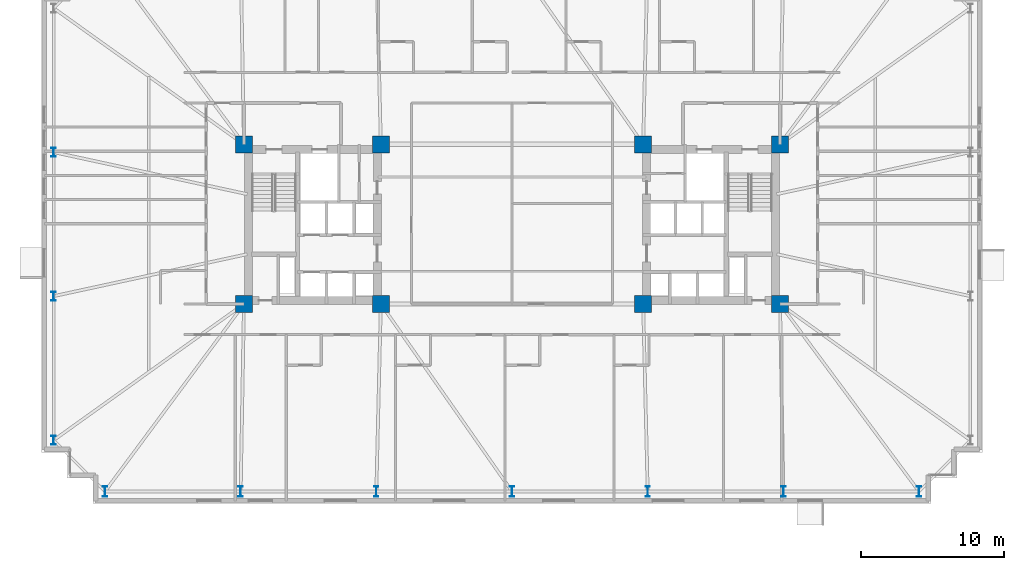
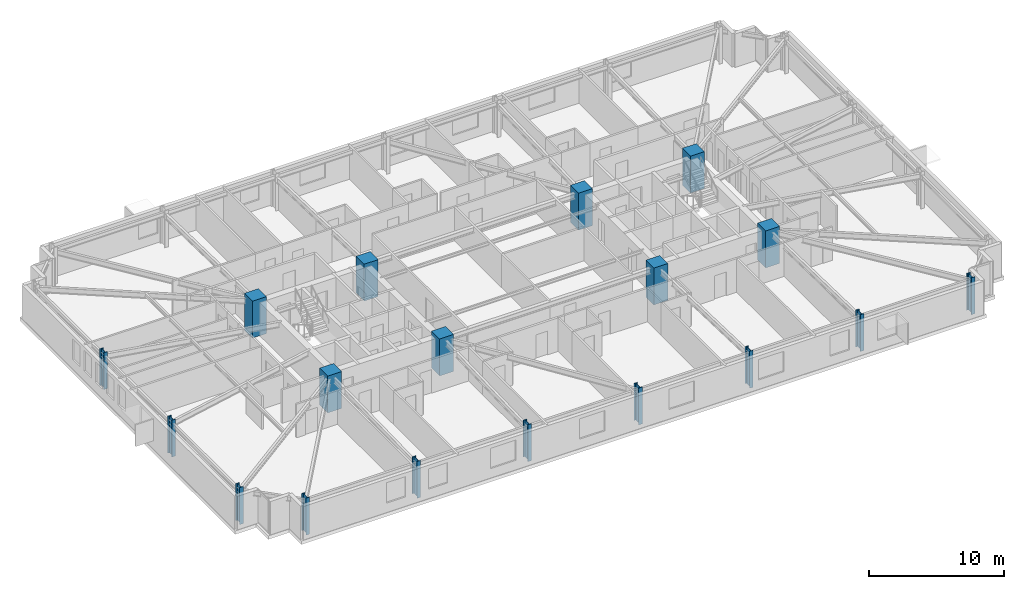
# One storey, part 1 of 21: 18 columns.
"""IFC4 building model written with IfcOpenShell, lengths in metres."""

import ifcopenshell
import ifcopenshell.guid

model = None  # the IFC model being written
_history = None  # IfcOwnerHistory: only IFC2X3 demands one
_inside = {}  # id of a spatial element -> (the spatial element, [elements in it])
_under = {}  # id of a project, library or spatial element -> (it, [spatial elements below it])
_declared = {}  # id of a project -> (the project, [libraries it declares])
_typed = {}  # id of a type object -> (the type object, [elements of that type])
_made_of = {}  # id of a material, layer set ... -> (it, [elements and type objects made of it])


def new_model(schema):
    """Start an empty IFC model of exactly this schema.

    Asked for "IFC4X3", IfcOpenShell would pick the latest addendum, in which some entities
    have other attributes; the version numbers below select the first issue.
    IFC2X3 requires an IfcOwnerHistory on every rooted entity: one is made here for all.
    """
    global model, _history
    if schema == "IFC4X3":
        model = ifcopenshell.file(schema_version=(4, 3, 0, 0))
    else:
        model = ifcopenshell.file(schema=schema)
    _inside.clear()
    _under.clear()
    _declared.clear()
    _typed.clear()
    _made_of.clear()
    _history = None
    if model.schema == "IFC2X3":
        org = make("IfcOrganization", Name="unknown")
        user = make(
            "IfcPersonAndOrganization",
            ThePerson=make("IfcPerson", FamilyName="unknown"),
            TheOrganization=org,
        )
        app = make(
            "IfcApplication",
            ApplicationDeveloper=org,
            Version="unknown",
            ApplicationFullName="unknown",
            ApplicationIdentifier="unknown",
        )
        _history = make(
            "IfcOwnerHistory",
            OwningUser=user,
            OwningApplication=app,
            ChangeAction="ADDED",
            CreationDate=0,
        )
    return model


def make(cls, **values):
    """One entity of the class cls with the attributes given. An attribute that is None is left unset."""
    return model.create_entity(
        cls, **{name: value for name, value in values.items() if value is not None}
    )


def rooted(cls, **values):
    """An entity with a GlobalId (a new one), such as an element, a storey or a relation."""
    return make(cls, GlobalId=ifcopenshell.guid.new(), OwnerHistory=_history, **values)


def si_unit(unit_type, name, prefix=None):
    """IfcSIUnit, for example si_unit("LENGTHUNIT", "METRE", prefix="MILLI")."""
    return make("IfcSIUnit", UnitType=unit_type, Prefix=prefix, Name=name)


def assignment(units):
    """IfcUnitAssignment: the units of a project."""
    return None if units is None else make("IfcUnitAssignment", Units=units)


def point(xyz):
    """IfcCartesianPoint."""
    return None if xyz is None else make("IfcCartesianPoint", Coordinates=xyz)


def direction(xyz):
    """IfcDirection."""
    return None if xyz is None else make("IfcDirection", DirectionRatios=xyz)


def frame(location, z_axis=None, x_axis=None):
    """IfcAxis2Placement3D, a coordinate frame: its origin and axes. An axis left out is left unset."""
    return make(
        "IfcAxis2Placement3D",
        Location=point(location),
        Axis=direction(z_axis),
        RefDirection=direction(x_axis),
    )


def frame_2d(location, x_axis=None):
    """IfcAxis2Placement2D, a coordinate frame in the plane: its origin and x axis."""
    return make(
        "IfcAxis2Placement2D", Location=point(location), RefDirection=direction(x_axis)
    )


def origin():
    """The frame at (0, 0, 0) with its axes left unset."""
    return frame((0.0, 0.0, 0.0))


def origin_2d():
    """The frame at (0, 0) in the plane with its x axis left unset."""
    return frame_2d((0.0, 0.0))


def place(relative_to, where):
    """IfcLocalPlacement: puts the frame where relative to a parent placement (None: the world)."""
    return make(
        "IfcLocalPlacement", PlacementRelTo=relative_to, RelativePlacement=where
    )


def context(
    kind, dimensions, precision=None, world=None, true_north=None, identifier=None
):
    """IfcGeometricRepresentationContext, for example the 3D "Model" context."""
    return make(
        "IfcGeometricRepresentationContext",
        ContextIdentifier=identifier,
        ContextType=kind,
        CoordinateSpaceDimension=dimensions,
        Precision=precision,
        WorldCoordinateSystem=world,
        TrueNorth=true_north,
    )


def subcontext(parent, identifier, kind, view, scale=None):
    """IfcGeometricRepresentationSubContext, for example "Body" below "Model"."""
    return make(
        "IfcGeometricRepresentationSubContext",
        ContextIdentifier=identifier,
        ContextType=kind,
        ParentContext=parent,
        TargetScale=scale,
        TargetView=view,
    )


def project(units=None, contexts=None):
    """IfcProject with its units and contexts."""
    return rooted(
        "IfcProject",
        Name="project",
        RepresentationContexts=contexts,
        UnitsInContext=assignment(units),
    )


def spatial(cls, under=None, at=None, **own):
    """A site, building, storey or space (cls), placed at a placement, below another one or the project."""
    s = rooted(cls, ObjectPlacement=at, **own)
    if under is not None:
        _under.setdefault(under.id(), (under, []))[1].append(s)
    return s


def profile(cls, at=None, kind="AREA", **sizes):
    """A parametric profile (cls). Its sizes go by their IFC names, for example OverallWidth=200.0."""
    return make(cls, ProfileType=kind, Position=at, **sizes)


def rectangle(**sizes):
    """IfcRectangleProfileDef."""
    return profile("IfcRectangleProfileDef", **sizes)


def i_section(**sizes):
    """IfcIShapeProfileDef."""
    return profile("IfcIShapeProfileDef", **sizes)


def extrude(swept, where, along, depth):
    """IfcExtrudedAreaSolid: the profile swept, set in the frame where, extruded along a direction by depth."""
    return make(
        "IfcExtrudedAreaSolid",
        SweptArea=swept,
        Position=where,
        ExtrudedDirection=direction(along),
        Depth=depth,
    )


def shape(context_of_items, identifier, shape_type, items):
    """IfcShapeRepresentation: the items that make up one representation, for example the "Body"."""
    return make(
        "IfcShapeRepresentation",
        ContextOfItems=context_of_items,
        RepresentationIdentifier=identifier,
        RepresentationType=shape_type,
        Items=items,
    )


def material(Name=None, Category=None):
    """IfcMaterial."""
    return make("IfcMaterial", Name=Name, Category=Category)


def material_profile(
    of_material, cross_section, Name=None, Category=None, Priority=None
):
    """IfcMaterialProfile: a cross section and its material."""
    return make(
        "IfcMaterialProfile",
        Name=Name,
        Material=of_material,
        Profile=cross_section,
        Priority=Priority,
        Category=Category,
    )


def profile_set(profiles, Name=None, composite=None):
    """IfcMaterialProfileSet."""
    return make(
        "IfcMaterialProfileSet",
        Name=Name,
        MaterialProfiles=profiles,
        CompositeProfile=composite,
    )


def made_of(thing, what):
    """Note that an element or type object is made of a material, layer set ...; save() writes the relation."""
    if what is not None:
        _made_of.setdefault(what.id(), (what, []))[1].append(thing)
    return thing


def type_object(cls, material=None, **own):
    """A type object (cls), such as IfcWallType, which elements share."""
    return made_of(rooted(cls, **own), material)


def element(
    cls,
    number,
    at=None,
    inside=None,
    cuts=None,
    type_object=None,
    material=None,
    context=None,
    identifier="Body",
    shape_type=None,
    held_by="IfcProductDefinitionShape",
    body=None,
    shapes=None,
    **own,
):
    """One element of the class cls, such as IfcWall. Its Tag is "e" and its number.

    at: its placement. inside: the storey or other place that contains it. cuts: it is an
    opening in that element (IfcRelVoidsElement). A single representation is given by context,
    identifier, shape_type and body (its items); several are given by shapes. held_by: the class
    of the entity that holds the representations. save() writes the other relations.
    """
    e = rooted(cls, Tag="e%d" % number, ObjectPlacement=at, **own)
    if body is not None:
        shapes = [shape(context, identifier, shape_type, body)]
    if shapes is not None:
        e.Representation = make(held_by, Representations=shapes)
    if inside is not None:
        _inside.setdefault(inside.id(), (inside, []))[1].append(e)
    if cuts is not None:
        rooted(
            "IfcRelVoidsElement", RelatingBuildingElement=cuts, RelatedOpeningElement=e
        )
    if type_object is not None:
        _typed.setdefault(type_object.id(), (type_object, []))[1].append(e)
    return made_of(e, material)


def aggregate(whole, parts):
    """IfcRelAggregates: a whole, such as a stair, and the parts it consists of."""
    return rooted("IfcRelAggregates", RelatingObject=whole, RelatedObjects=parts)


def save(model, path):
    """Write the relations noted so far, then the file.

    IfcRelAggregates (storeys below a building ...), IfcRelContainedInSpatialStructure (elements
    in a storey), IfcRelDefinesByType, IfcRelAssociatesMaterial and IfcRelDeclares: one each for
    every whole, place, type object, material and project.
    """
    for whole, parts in _under.values():
        aggregate(whole, parts)
    for where, things in _inside.values():
        rooted(
            "IfcRelContainedInSpatialStructure",
            RelatedElements=things,
            RelatingStructure=where,
        )
    for kind, things in _typed.values():
        rooted("IfcRelDefinesByType", RelatedObjects=things, RelatingType=kind)
    for what, things in _made_of.values():
        rooted("IfcRelAssociatesMaterial", RelatedObjects=things, RelatingMaterial=what)
    for by, libraries in _declared.values():
        rooted("IfcRelDeclares", RelatingContext=by, RelatedDefinitions=libraries)
    model.write(path)


model = new_model("IFC4")

# Units and contexts
model_context = context("Model", 3, precision=1e-05, world=origin(), true_north=direction((0.0, 1.0)))
body_context = subcontext(model_context, "Body", "Model", "MODEL_VIEW")
ifc_project = project(units=[si_unit("LENGTHUNIT", "METRE"), si_unit("AREAUNIT", "SQUARE_METRE"), si_unit("VOLUMEUNIT", "CUBIC_METRE"), si_unit("PLANEANGLEUNIT", "RADIAN"), si_unit("MASSUNIT", "GRAM", prefix="KILO")], contexts=[model_context])

# Site, building, storey
site_placement = place(None, origin())
site = spatial("IfcSite", under=ifc_project, at=site_placement, CompositionType="ELEMENT")
building_placement = place(site_placement, origin())
building = spatial("IfcBuilding", under=site, at=building_placement, Name="Qobustan Lattice House", CompositionType="ELEMENT")
storey_placement = place(building_placement, frame((0.0, 0.0, 30.35009765625)))
storey = spatial("IfcBuildingStorey", under=building, at=storey_placement, Name="L07", CompositionType="ELEMENT", Elevation=30.35009765625)

# Columns
ifc_material_1 = material(Name="Concrete C60/75", Category="concrete")
ifc_material_profile_1 = material_profile(ifc_material_1, rectangle(XDim=1.199951171875, YDim=1.199951171875, at=origin_2d()), Name="RC1200x1200")
ifc_profile_set_1 = profile_set([ifc_material_profile_1], Name="Concrete C60/75")
column_type_1 = type_object("IfcColumnType", Name="COL-RC-1200", PredefinedType="COLUMN", material=ifc_profile_set_1)
for number, where, z_axis, x_axis, name in (
    (1, (-18.800048828125, -5.60009765625, 0.0), (0.0, 0.0, 1.0), (1.0, 0.0, 0.0), "L07 core mega-column CW-SW"),
    (2, (-18.800048828125, 5.60009765625, 0.0), (0.0, 0.0, 1.0), (1.0, 0.0, 0.0), "L07 core mega-column CW-NW"),
    (3, (-9.199951171875, -5.60009765625, 0.0), (0.0, 0.0, 1.0), (1.0, 0.0, 0.0), "L07 core mega-column CW-SE"),
    (4, (-9.199951171875, 5.60009765625, 0.0), (0.0, 0.0, 1.0), (1.0, 0.0, 0.0), "L07 core mega-column CW-NE"),
    (5, (9.199951171875, -5.60009765625, 0.0), (0.0, 0.0, 1.0), (1.0, 0.0, 0.0), "L07 core mega-column CE-SW"),
    (6, (9.199951171875, 5.60009765625, 0.0), (0.0, 0.0, 1.0), (1.0, 0.0, 0.0), "L07 core mega-column CE-NW"),
    (7, (18.800048828125, -5.60009765625, 0.0), (0.0, 0.0, 1.0), (1.0, 0.0, 0.0), "L07 core mega-column CE-SE"),
    (8, (18.800048828125, 5.60009765625, 0.0), (0.0, 0.0, 1.0), (1.0, 0.0, 0.0), "L07 core mega-column CE-NE"),
):
    element("IfcColumn", number, at=place(storey_placement, frame(where, z_axis=z_axis, x_axis=x_axis)), inside=storey, type_object=column_type_1, Name=name, PredefinedType="COLUMN", context=body_context, shape_type="SweptSolid", body=[
        extrude(rectangle(XDim=1.199951171875, YDim=1.199951171875, at=origin_2d()), origin(), (0.0, 0.0, 1.0), 3.349853515625),
    ])
ifc_material_2 = material(Name="Steel S460", Category="steel")
ifc_material_profile_2 = material_profile(ifc_material_2, i_section(OverallWidth=0.304931640625, OverallDepth=0.6201171875, WebThickness=0.02099609375, FlangeThickness=0.0400390625, FilletRadius=0.027099609375, at=origin_2d()), Name="HEM600")
ifc_profile_set_2 = profile_set([ifc_material_profile_2], Name="Steel S460")
column_type_2 = type_object("IfcColumnType", Name="COL-ST-HEM600", PredefinedType="COLUMN", material=ifc_profile_set_2)
for number, where, z_axis, x_axis, name in (
    (9, (-32.14990234375, 5.050048828125, 0.0), (0.0, 0.0, 1.0), (1.0, 0.0, 0.0), "L07 B1 perimeter column W2"),
    (10, (-32.14990234375, -5.050048828125, 0.0), (0.0, 0.0, 1.0), (1.0, 0.0, 0.0), "L07 B1 perimeter column W3"),
    (11, (-32.14990234375, -15.14990234375, 0.0), (0.0, 0.0, 1.0), (1.0, 0.0, 0.0), "L07 B1 perimeter column W4"),
):
    element("IfcColumn", number, at=place(storey_placement, frame(where, z_axis=z_axis, x_axis=x_axis)), inside=storey, type_object=column_type_2, Name=name, PredefinedType="COLUMN", context=body_context, shape_type="SweptSolid", body=[
        extrude(i_section(OverallWidth=0.304931640625, OverallDepth=0.6201171875, WebThickness=0.02099609375, FlangeThickness=0.0400390625, FilletRadius=0.027099609375, at=origin_2d()), origin(), (0.0, 0.0, 1.0), 3.349853515625),
    ])
ifc_material_3 = material(Name="Steel S460", Category="steel")
ifc_material_profile_3 = material_profile(ifc_material_3, i_section(OverallWidth=0.303955078125, OverallDepth=0.716064453125, WebThickness=0.02099609375, FlangeThickness=0.0400390625, FilletRadius=0.027099609375, at=origin_2d()), Name="HEM700")
ifc_profile_set_3 = profile_set([ifc_material_profile_3], Name="Steel S460")
column_type_3 = type_object("IfcColumnType", Name="COL-ST-HEM700", PredefinedType="COLUMN", material=ifc_profile_set_3)
for number, where, z_axis, x_axis, name in (
    (12, (-28.550048828125, -18.75, 0.0), (0.0, 0.0, 1.0), (1.0, 0.0, 0.0), "L07 B1 perimeter column S1"),
    (13, (-19.033203125, -18.75, 0.0), (0.0, 0.0, 1.0), (1.0, 0.0, 0.0), "L07 B1 perimeter column S2"),
    (14, (-9.5166015625, -18.75, 0.0), (0.0, 0.0, 1.0), (1.0, 0.0, 0.0), "L07 B1 perimeter column S3"),
    (15, (0.0, -18.75, 0.0), (0.0, 0.0, 1.0), (1.0, 0.0, 0.0), "L07 B1 perimeter column S4"),
    (16, (9.5166015625, -18.75, 0.0), (0.0, 0.0, 1.0), (1.0, 0.0, 0.0), "L07 B1 perimeter column S5"),
    (17, (19.033203125, -18.75, 0.0), (0.0, 0.0, 1.0), (1.0, 0.0, 0.0), "L07 B1 perimeter column S6"),
    (18, (28.550048828125, -18.75, 0.0), (0.0, 0.0, 1.0), (1.0, 0.0, 0.0), "L07 B1 perimeter column S7"),
):
    element("IfcColumn", number, at=place(storey_placement, frame(where, z_axis=z_axis, x_axis=x_axis)), inside=storey, type_object=column_type_3, Name=name, PredefinedType="COLUMN", context=body_context, shape_type="SweptSolid", body=[
        extrude(i_section(OverallWidth=0.303955078125, OverallDepth=0.716064453125, WebThickness=0.02099609375, FlangeThickness=0.0400390625, FilletRadius=0.027099609375, at=origin_2d()), origin(), (0.0, 0.0, 1.0), 3.349853515625),
    ])

save(model, "model.ifc")
